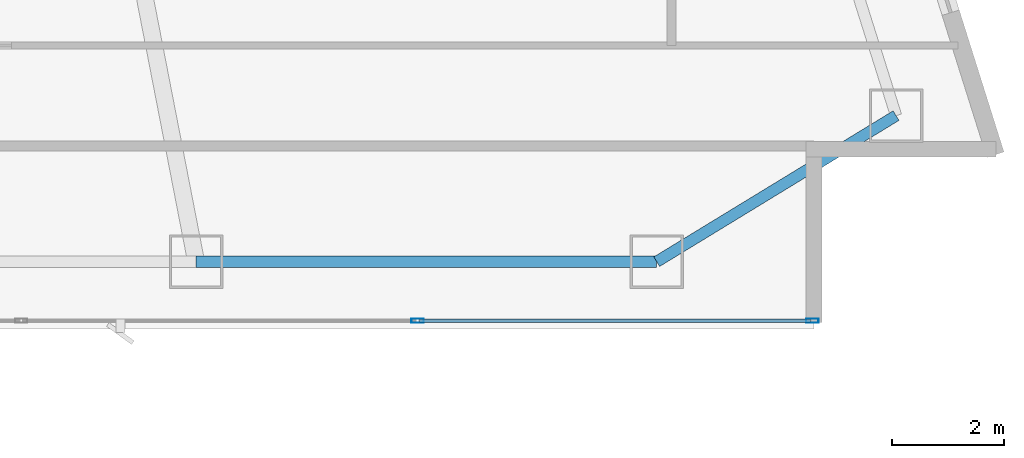
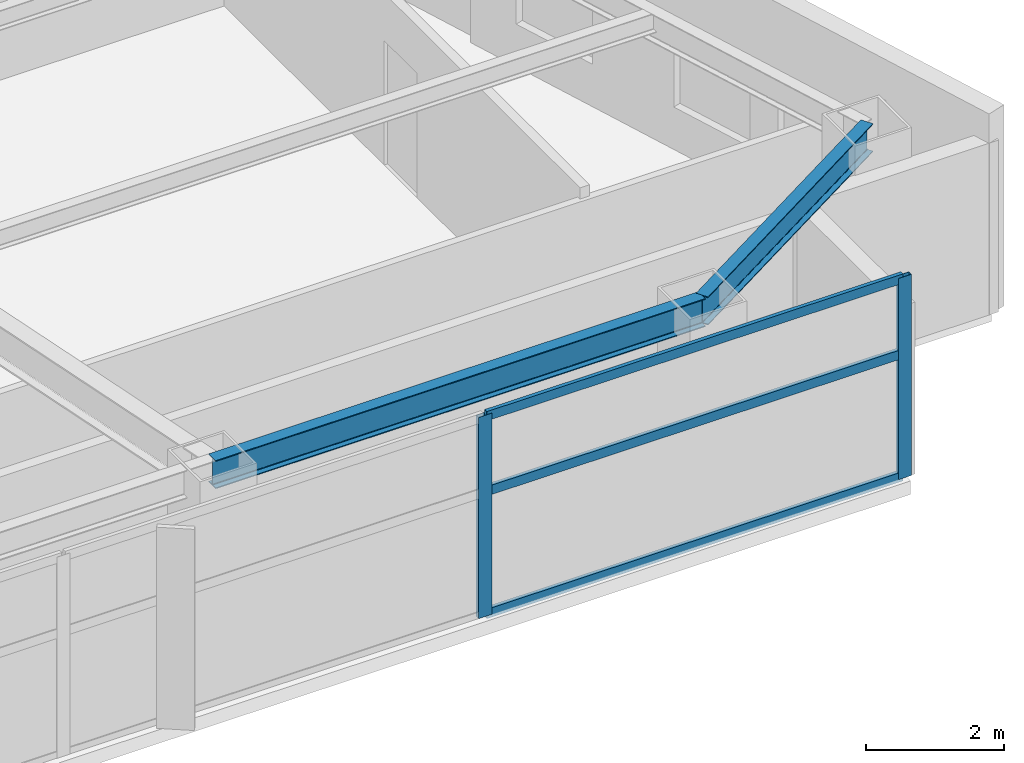
# One storey, part 14 of 29: 5 members, 2 beams, 1 element without a shape of its own.
"""IFC4 building model written with IfcOpenShell, lengths in metres."""

from ifc_helpers import new_model, si_unit, direction, frame, origin, origin_2d, place, context, subcontext, project, spatial, hollow_rectangle, i_section, extrude, material, layer, layer_set, material_profile, profile_set, type_object, element, aggregate, save


model = new_model("IFC4")

# Units and contexts
model_context = context("Model", 3, precision=1e-05, world=origin(), true_north=direction((0.0, 1.0)))
body_context = subcontext(model_context, "Body", "Model", "MODEL_VIEW")
ifc_project = project(units=[si_unit("LENGTHUNIT", "METRE"), si_unit("AREAUNIT", "SQUARE_METRE"), si_unit("VOLUMEUNIT", "CUBIC_METRE"), si_unit("PLANEANGLEUNIT", "RADIAN"), si_unit("MASSUNIT", "GRAM", prefix="KILO")], contexts=[model_context])

# Site, building, storey
site_placement = place(None, origin())
site = spatial("IfcSite", under=ifc_project, at=site_placement, CompositionType="ELEMENT")
building_placement = place(site_placement, origin())
building = spatial("IfcBuilding", under=site, at=building_placement, Name="Calvorn Quay Hotel", CompositionType="ELEMENT")
storey_placement = place(building_placement, frame((0.0, 0.0, 62.199951171875)))
storey = spatial("IfcBuildingStorey", under=building, at=storey_placement, Name="L14", CompositionType="ELEMENT", Elevation=62.199951171875)

# Beams
ifc_material_1 = material(Name="Steel Q355B", Category="steel")
ifc_material_profile_1 = material_profile(ifc_material_1, i_section(OverallWidth=0.199951171875, OverallDepth=0.5, WebThickness=0.010009765625, FlangeThickness=0.01611328125, FilletRadius=0.01611328125, at=origin_2d()), Name="HN500x200x10x16")
ifc_profile_set_1 = profile_set([ifc_material_profile_1], Name="Steel Q355B")
beam_type = type_object("IfcBeamType", Name="BM-SPANDREL-Z1", PredefinedType="SPANDREL", material=ifc_profile_set_1)
beam_1_placement = place(storey_placement, frame((49.39990234375, 3.60009765625, 3.2900390625), z_axis=(1.0, 0.0, 0.0), x_axis=(0.0, 1.0, 0.0)))
element("IfcBeam", 1, at=beam_1_placement, inside=storey, type_object=beam_type, Name="Beam BSP-L14-S6", PredefinedType="SPANDREL", context=body_context, shape_type="SweptSolid", body=[
    extrude(i_section(OverallWidth=0.199951171875, OverallDepth=0.5, WebThickness=0.010009765625, FlangeThickness=0.01611328125, FilletRadius=0.01611328125, at=origin_2d()), origin(), (0.0, 0.0, 1.0), 8.2001953125),
])
beam_2_placement = place(storey_placement, frame((57.60009765625, 3.60009765625, 3.2900390625), z_axis=(0.853645546466, 0.520854376, 0.0), x_axis=(-0.520854376, 0.853645546466, 0.0)))
element("IfcBeam", 2, at=beam_2_placement, inside=storey, type_object=beam_type, Name="Beam BSP-L14-S7", PredefinedType="SPANDREL", context=body_context, shape_type="SweptSolid", body=[
    extrude(i_section(OverallWidth=0.199951171875, OverallDepth=0.5, WebThickness=0.010009765625, FlangeThickness=0.01611328125, FilletRadius=0.01611328125, at=origin_2d()), origin(), (0.0, 0.0, 1.0), 4.991455078125),
])

# Curtain wall, members
ifc_material_2 = material(Name="Pale Anodised Aluminium and Low-E Glass", Category="aluminium")
ifc_layer = layer(ifc_material_2, 0.219970703125)
ifc_layer_set = layer_set([ifc_layer], Name="CW-SYS-Z1")
curtain_wall_type = type_object("IfcCurtainWallType", Name="CW-SYS-Z1", PredefinedType="NOTDEFINED", material=ifc_layer_set)
curtain_wall_placement = place(storey_placement, origin())
curtain_wall = element("IfcCurtainWall", 3, at=curtain_wall_placement, inside=storey, type_object=curtain_wall_type, Name="Tower South Waterfront Curtain Wall (L14)", PredefinedType="NOTDEFINED")
ifc_material_3 = material(Name="Pale Anodised Aluminium 6063-T6", Category="aluminium")
ifc_material_profile_2 = material_profile(ifc_material_3, hollow_rectangle(XDim=0.074951171875, YDim=0.219970703125, WallThickness=0.00439453125, at=origin_2d()), Name="ALU-M220x75x4.5")
ifc_profile_set_2 = profile_set([ifc_material_profile_2], Name="Pale Anodised Aluminium 6063-T6")
member_type_1 = type_object("IfcMemberType", Name="CW-SYS-Z1-MUL", PredefinedType="MULLION", material=ifc_profile_set_2)
member_1_placement = place(storey_placement, frame((53.3427734375, 2.550048828125, 0.0), z_axis=(0.0, 0.0, 1.0), x_axis=(0.0, 1.0, 0.0)))
member_1 = element("IfcMember", 4, at=member_1_placement, type_object=member_type_1, Name="CW-L14-S mullion 7", PredefinedType="MULLION", context=body_context, shape_type="SweptSolid", body=[
    extrude(hollow_rectangle(XDim=0.074951171875, YDim=0.219970703125, WallThickness=0.00439453125, at=origin_2d()), origin(), (0.0, 0.0, 1.0), 3.56005859375),
])
member_2_placement = place(storey_placement, frame((60.3701171875, 2.550048828125, 0.0), z_axis=(0.0, 0.0, 1.0), x_axis=(0.0, 1.0, 0.0)))
member_2 = element("IfcMember", 5, at=member_2_placement, type_object=member_type_1, Name="CW-L14-S mullion 8", PredefinedType="MULLION", context=body_context, shape_type="SweptSolid", body=[
    extrude(hollow_rectangle(XDim=0.074951171875, YDim=0.219970703125, WallThickness=0.00439453125, at=origin_2d()), origin(), (0.0, 0.0, 1.0), 3.56005859375),
])
ifc_material_4 = material(Name="Pale Anodised Aluminium 6063-T6", Category="aluminium")
ifc_material_profile_3 = material_profile(ifc_material_4, hollow_rectangle(XDim=0.06494140625, YDim=0.1650390625, WallThickness=0.00341796875, at=origin_2d()), Name="ALU-T165x65x3.5")
ifc_profile_set_3 = profile_set([ifc_material_profile_3], Name="Pale Anodised Aluminium 6063-T6")
member_type_2 = type_object("IfcMemberType", Name="CW-SYS-Z1-TRN", PredefinedType="USERDEFINED", material=ifc_profile_set_3)
member_3_placement = place(storey_placement, frame((53.372802734375, 2.550048828125, 0.030029296875), z_axis=(1.0, 0.0, 0.0), x_axis=(0.0, 1.0, 0.0)))
member_3 = element("IfcMember", 6, at=member_3_placement, type_object=member_type_2, Name="CW-L14-S transom 7.1", ObjectType="TRANSOM", PredefinedType="USERDEFINED", context=body_context, shape_type="SweptSolid", body=[
    extrude(hollow_rectangle(XDim=0.06494140625, YDim=0.1650390625, WallThickness=0.00341796875, at=origin_2d()), origin(), (0.0, 0.0, 1.0), 6.96728515625),
])
member_4_placement = place(storey_placement, frame((53.372802734375, 2.550048828125, 2.199951171875), z_axis=(1.0, 0.0, 0.0), x_axis=(0.0, 1.0, 0.0)))
member_4 = element("IfcMember", 7, at=member_4_placement, type_object=member_type_2, Name="CW-L14-S transom 7.2", ObjectType="TRANSOM", PredefinedType="USERDEFINED", context=body_context, shape_type="SweptSolid", body=[
    extrude(hollow_rectangle(XDim=0.06494140625, YDim=0.1650390625, WallThickness=0.00341796875, at=origin_2d()), origin(), (0.0, 0.0, 1.0), 6.96728515625),
])
member_5_placement = place(storey_placement, frame((53.372802734375, 2.550048828125, 3.530029296875), z_axis=(1.0, 0.0, 0.0), x_axis=(0.0, 1.0, 0.0)))
member_5 = element("IfcMember", 8, at=member_5_placement, type_object=member_type_2, Name="CW-L14-S transom 7.3", ObjectType="TRANSOM", PredefinedType="USERDEFINED", context=body_context, shape_type="SweptSolid", body=[
    extrude(hollow_rectangle(XDim=0.06494140625, YDim=0.1650390625, WallThickness=0.00341796875, at=origin_2d()), origin(), (0.0, 0.0, 1.0), 6.96728515625),
])
aggregate(curtain_wall, [member_1, member_2, member_3, member_4, member_5])

save(model, "model.ifc")
